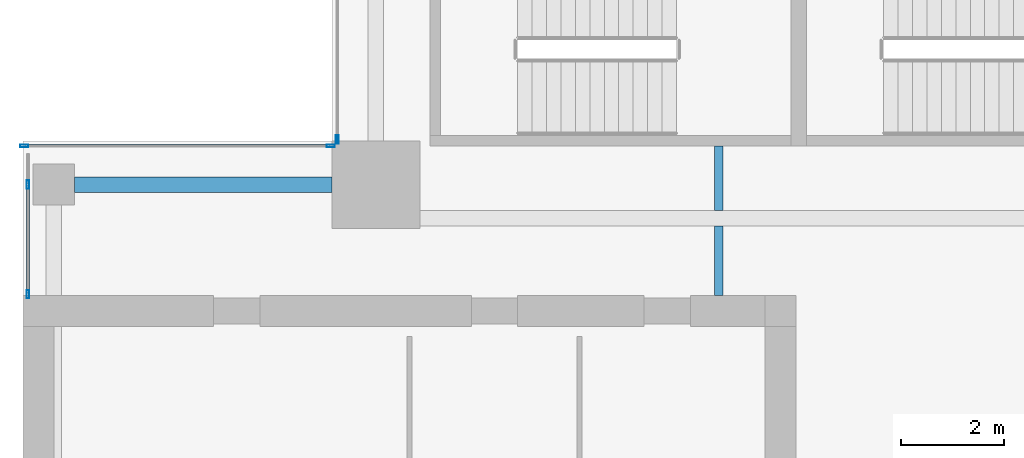
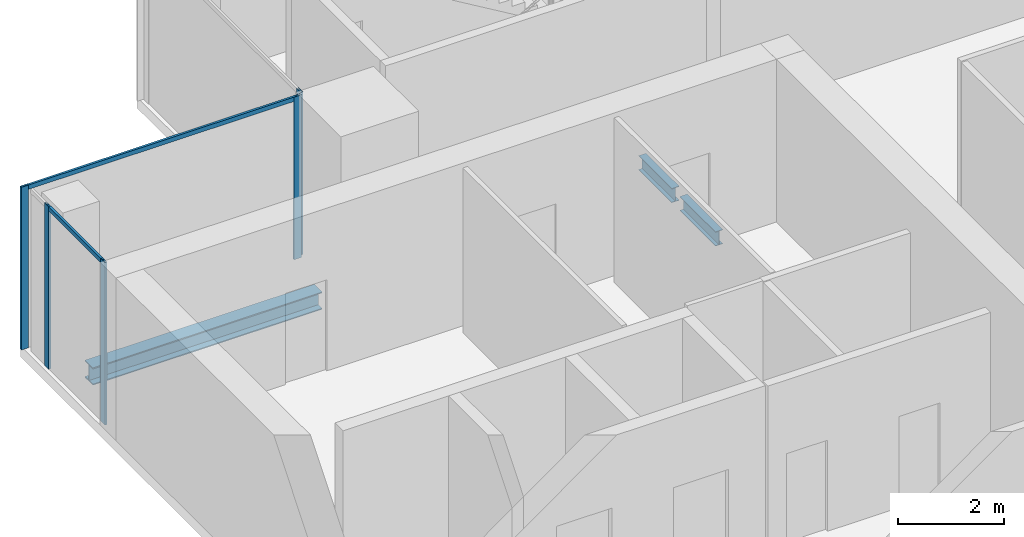
# One storey, part 11 of 28: 7 members, 3 beams, 3 elements without a shape of their own.
"""IFC4 building model written with IfcOpenShell, lengths in metres."""

from ifc_helpers import new_model, si_unit, direction, frame, origin, origin_2d, place, context, subcontext, project, spatial, hollow_rectangle, i_section, extrude, source, transform, mapped, material, material_profile, profile_set, type_object, element, aggregate, save


model = new_model("IFC4")

# Units and contexts
model_context = context("Model", 3, precision=1e-05, world=origin(), true_north=direction((0.0, 1.0)))
body_context = subcontext(model_context, "Body", "Model", "MODEL_VIEW")
ifc_project = project(units=[si_unit("LENGTHUNIT", "METRE"), si_unit("AREAUNIT", "SQUARE_METRE"), si_unit("VOLUMEUNIT", "CUBIC_METRE"), si_unit("PLANEANGLEUNIT", "RADIAN"), si_unit("MASSUNIT", "GRAM", prefix="KILO")], contexts=[model_context])

# Site, building, storey
site_placement = place(None, origin())
site = spatial("IfcSite", under=ifc_project, at=site_placement, CompositionType="ELEMENT")
building_placement = place(site_placement, origin())
building = spatial("IfcBuilding", under=site, at=building_placement, Name="Khomas Fold Tower", CompositionType="ELEMENT")
storey_placement = place(building_placement, frame((0.0, 0.0, 298.199951171875)))
storey = spatial("IfcBuildingStorey", under=building, at=storey_placement, Name="L67", CompositionType="ELEMENT", Elevation=298.199951171875)

# Beams
ifc_material_1 = material(Name="Steel S355", Category="steel")
ifc_material_profile_1 = material_profile(ifc_material_1, i_section(OverallWidth=0.159912109375, OverallDepth=0.330078125, WebThickness=0.007568359375, FlangeThickness=0.011474609375, at=origin_2d()), Name="IPE 330")
ifc_profile_set_1 = profile_set([ifc_material_profile_1], Name="Steel S355")
beam_type_1 = type_object("IfcBeamType", Name="IPE 330 beam JB1", PredefinedType="BEAM", material=ifc_profile_set_1)
shared_shape_1 = source(origin(), body_context, "Body", "SweptSolid", [
    extrude(i_section(OverallWidth=0.159912109375, OverallDepth=0.330078125, WebThickness=0.007568359375, FlangeThickness=0.011474609375, at=origin_2d()), origin(), (0.0, 0.0, 1.0), 1.25),
])
beam_1_placement = place(storey_placement, frame((19.5, 40.64990234375, -0.4150390625), z_axis=(0.0, 1.0, 0.0), x_axis=(-1.0, 0.0, 0.0)))
element("IfcBeam", 1, at=beam_1_placement, inside=storey, type_object=beam_type_1, Name="JB1", PredefinedType="BEAM", context=body_context, shape_type="MappedRepresentation", body=[
    mapped(shared_shape_1, transform((0.0, 0.0, 0.0))),
])
shared_shape_2 = source(origin(), body_context, "Body", "SweptSolid", [
    extrude(i_section(OverallWidth=0.159912109375, OverallDepth=0.330078125, WebThickness=0.007568359375, FlangeThickness=0.011474609375, at=origin_2d()), origin(), (0.0, 0.0, 1.0), 1.35009765625),
])
beam_2_placement = place(storey_placement, frame((19.5, 39.0, -0.4150390625), z_axis=(0.0, 1.0, 0.0), x_axis=(-1.0, 0.0, 0.0)))
element("IfcBeam", 2, at=beam_2_placement, inside=storey, type_object=beam_type_1, Name="JB1", PredefinedType="BEAM", context=body_context, shape_type="MappedRepresentation", body=[
    mapped(shared_shape_2, transform((0.0, 0.0, 0.0))),
])
ifc_material_2 = material(Name="Steel S355", Category="steel")
ifc_material_profile_2 = material_profile(ifc_material_2, i_section(OverallWidth=0.300048828125, OverallDepth=0.39990234375, WebThickness=0.013427734375, FlangeThickness=0.02392578125, at=origin_2d()), Name="HE 400 B")
ifc_profile_set_2 = profile_set([ifc_material_profile_2], Name="Steel S355")
beam_type_2 = type_object("IfcBeamType", Name="HE 400 B spandrel SB5", PredefinedType="SPANDREL", material=ifc_profile_set_2)
shared_shape_3 = source(origin(), body_context, "Body", "SweptSolid", [
    extrude(i_section(OverallWidth=0.300048828125, OverallDepth=0.39990234375, WebThickness=0.013427734375, FlangeThickness=0.02392578125, at=origin_2d()), origin(), (0.0, 0.0, 1.0), 5.0),
])
beam_3_placement = place(storey_placement, frame((7.0, 41.14990234375, -0.449951171875), z_axis=(1.0, 0.0, 0.0), x_axis=(0.0, 1.0, 0.0)))
element("IfcBeam", 3, at=beam_3_placement, inside=storey, type_object=beam_type_2, Name="SB5", PredefinedType="SPANDREL", context=body_context, shape_type="MappedRepresentation", body=[
    mapped(shared_shape_3, transform((0.0, 0.0, 0.0))),
])

# Curtain wall, member
ifc_material_3 = material(Name="Aluminium framed double glazing", Category="aluminium")
curtain_wall_type = type_object("IfcCurtainWallType", Name="SK-Unitised clear-glass wall, upper floors CW3", PredefinedType="NOTDEFINED", material=ifc_material_3)
curtain_wall_1_placement = place(storey_placement, origin())
curtain_wall_1 = element("IfcCurtainWall", 4, at=curtain_wall_1_placement, inside=storey, type_object=curtain_wall_type, Name="CW3 corner return L67 07", PredefinedType="NOTDEFINED")
ifc_material_4 = material(Name="Aluminium", Category="aluminium")
ifc_material_profile_3 = material_profile(ifc_material_4, hollow_rectangle(XDim=0.050048828125, YDim=0.159912109375, WallThickness=0.00390625, at=origin_2d()), Name="SK-Unitised clear-glass wall, upper floors mullion CW3-M")
ifc_profile_set_3 = profile_set([ifc_material_profile_3], Name="Aluminium")
member_type_1 = type_object("IfcMemberType", Name="SK-Unitised clear-glass wall, upper floors mullion CW3-M", PredefinedType="MULLION", material=ifc_profile_set_3)
shared_shape_4 = source(origin(), body_context, "Body", "SweptSolid", [
    extrude(hollow_rectangle(XDim=0.050048828125, YDim=0.159912109375, WallThickness=0.00390625, at=origin_2d()), origin(), (0.0, 0.0, 1.0), 3.75),
])
member_1_placement = place(storey_placement, frame((12.10009765625, 42.02490234375, 0.0), z_axis=(0.0, 0.0, 1.0), x_axis=(1.0, 0.0, 0.0)))
member_1 = element("IfcMember", 5, at=member_1_placement, type_object=member_type_1, Name="CW3 mullion 2", PredefinedType="MULLION", context=body_context, shape_type="MappedRepresentation", body=[
    mapped(shared_shape_4, transform((0.0, 0.0, 0.0))),
])
aggregate(curtain_wall_1, [member_1])

# Curtain wall, members
curtain_wall_2_placement = place(storey_placement, origin())
curtain_wall_2 = element("IfcCurtainWall", 6, at=curtain_wall_2_placement, inside=storey, type_object=curtain_wall_type, Name="CW3 corner return L67 08", PredefinedType="NOTDEFINED")
member_2_placement = place(storey_placement, frame((11.97509765625, 41.89990234375, 0.0), z_axis=(0.0, 0.0, 1.0), x_axis=(0.0, -1.0, 0.0)))
member_2 = element("IfcMember", 7, at=member_2_placement, type_object=member_type_1, Name="CW3 mullion 1", PredefinedType="MULLION", context=body_context, shape_type="MappedRepresentation", body=[
    mapped(shared_shape_4, transform((0.0, 0.0, 0.0))),
])
member_3_placement = place(storey_placement, frame((6.02490234375, 41.89990234375, 0.0), z_axis=(0.0, 0.0, 1.0), x_axis=(0.0, -1.0, 0.0)))
member_3 = element("IfcMember", 8, at=member_3_placement, type_object=member_type_1, Name="CW3 mullion 2", PredefinedType="MULLION", context=body_context, shape_type="MappedRepresentation", body=[
    mapped(shared_shape_4, transform((0.0, 0.0, 0.0))),
])

curtain_wall_3_placement = place(storey_placement, origin())
curtain_wall_3 = element("IfcCurtainWall", 9, at=curtain_wall_3_placement, inside=storey, type_object=curtain_wall_type, Name="CW3 run L67 09-0", PredefinedType="NOTDEFINED")
member_4_placement = place(storey_placement, frame((6.10009765625, 41.14990234375, 0.0), z_axis=(0.0, 0.0, 1.0), x_axis=(1.0, 0.0, 0.0)))
member_4 = element("IfcMember", 10, at=member_4_placement, type_object=member_type_1, Name="CW3 mullion 2", PredefinedType="MULLION", context=body_context, shape_type="MappedRepresentation", body=[
    mapped(shared_shape_4, transform((0.0, 0.0, 0.0))),
])
member_5_placement = place(storey_placement, frame((6.10009765625, 39.02490234375, 0.0), z_axis=(0.0, 0.0, 1.0), x_axis=(1.0, 0.0, 0.0)))
member_5 = element("IfcMember", 11, at=member_5_placement, type_object=member_type_1, Name="CW3 mullion 3", PredefinedType="MULLION", context=body_context, shape_type="MappedRepresentation", body=[
    mapped(shared_shape_4, transform((0.0, 0.0, 0.0))),
])

# Member
ifc_material_5 = material(Name="Aluminium", Category="aluminium")
ifc_material_profile_4 = material_profile(ifc_material_5, hollow_rectangle(XDim=0.050048828125, YDim=0.10009765625, WallThickness=0.00390625, at=origin_2d()), Name="SK-Unitised clear-glass wall, upper floors transom CW3-T")
ifc_profile_set_4 = profile_set([ifc_material_profile_4], Name="Aluminium")
member_type_2 = type_object("IfcMemberType", Name="SK-Unitised clear-glass wall, upper floors transom CW3-T", PredefinedType="USERDEFINED", material=ifc_profile_set_4)
shared_shape_5 = source(origin(), body_context, "Body", "SweptSolid", [
    extrude(hollow_rectangle(XDim=0.050048828125, YDim=0.10009765625, WallThickness=0.00390625, at=origin_2d()), origin(), (0.0, 0.0, 1.0), 5.89990234375),
])
member_6_placement = place(storey_placement, frame((11.949951171875, 41.89990234375, 3.699951171875), z_axis=(-1.0, 0.0, 0.0), x_axis=(0.0, -1.0, 0.0)))
member_6 = element("IfcMember", 12, at=member_6_placement, type_object=member_type_2, Name="CW3 transom 1", ObjectType="TRANSOM", PredefinedType="USERDEFINED", context=body_context, shape_type="MappedRepresentation", body=[
    mapped(shared_shape_5, transform((0.0, 0.0, 0.0))),
])

aggregate(curtain_wall_2, [member_2, member_3, member_6])

shared_shape_6 = source(origin(), body_context, "Body", "SweptSolid", [
    extrude(hollow_rectangle(XDim=0.050048828125, YDim=0.10009765625, WallThickness=0.00390625, at=origin_2d()), origin(), (0.0, 0.0, 1.0), 2.074951171875),
])
member_7_placement = place(storey_placement, frame((6.10009765625, 41.125, 3.699951171875), z_axis=(0.0, -1.0, 0.0), x_axis=(1.0, 0.0, 0.0)))
member_7 = element("IfcMember", 13, at=member_7_placement, type_object=member_type_2, Name="CW3 transom 2", ObjectType="TRANSOM", PredefinedType="USERDEFINED", context=body_context, shape_type="MappedRepresentation", body=[
    mapped(shared_shape_6, transform((0.0, 0.0, 0.0))),
])

aggregate(curtain_wall_3, [member_4, member_5, member_7])

save(model, "model.ifc")
